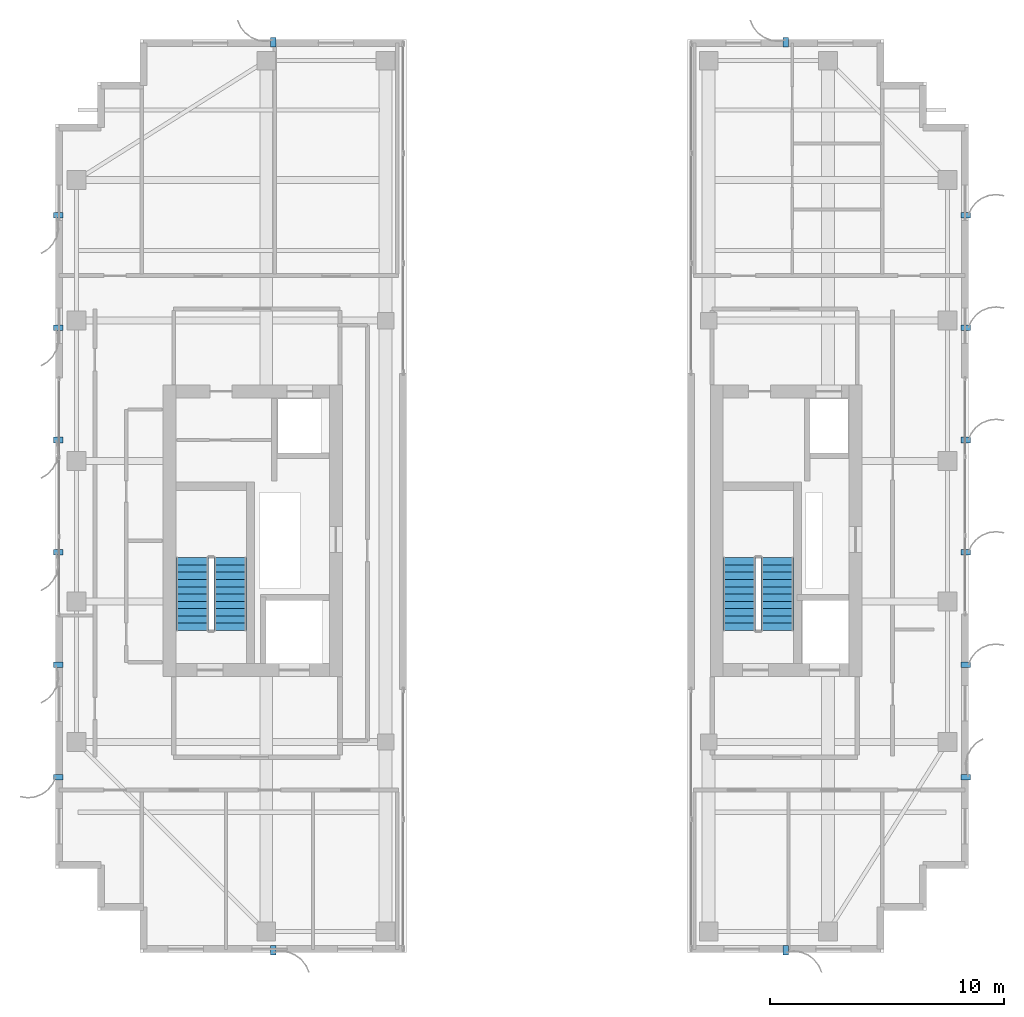
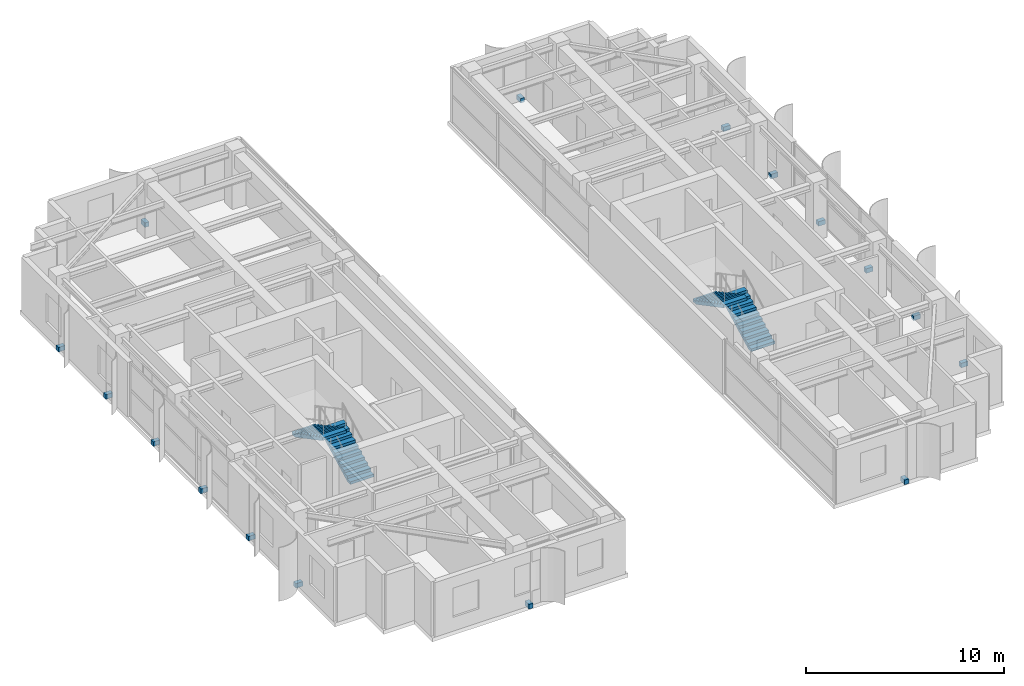
# One storey, part 21 of 24: 16 discrete accessories, 4 stair flights, 2 elements without a shape of their own.
"""IFC4 building model written with IfcOpenShell, lengths in metres."""

from ifc_helpers import new_model, si_unit, direction, frame, origin, origin_2d, place, context, subcontext, project, spatial, polyline, rectangle, outline, extrude, source, transform, mapped, material, type_object, element, aggregate, save


model = new_model("IFC4")

# Units and contexts
model_context = context("Model", 3, precision=1e-05, world=origin(), true_north=direction((0.0, 1.0)))
body_context = subcontext(model_context, "Body", "Model", "MODEL_VIEW")
ifc_project = project(units=[si_unit("LENGTHUNIT", "METRE"), si_unit("AREAUNIT", "SQUARE_METRE"), si_unit("VOLUMEUNIT", "CUBIC_METRE"), si_unit("PLANEANGLEUNIT", "RADIAN"), si_unit("MASSUNIT", "GRAM", prefix="KILO")], contexts=[model_context])

# Site, building, storey
site_placement = place(None, origin())
site = spatial("IfcSite", under=ifc_project, at=site_placement, CompositionType="ELEMENT")
building_placement = place(site_placement, origin())
building = spatial("IfcBuilding", under=site, at=building_placement, Name="Khoralis Quay Care Tower", CompositionType="ELEMENT")
storey_placement = place(building_placement, frame((0.0, 0.0, 249.300048828125)))
storey = spatial("IfcBuildingStorey", under=building, at=storey_placement, Name="L65", CompositionType="ELEMENT", Elevation=249.300048828125)

# Stair, stair flights
ifc_material_1 = material(Name="Precast concrete C45/55", Category="concrete")
stair_type = type_object("IfcStairType", Name="ST-TWR-DOGLEG-1400", PredefinedType="HALF_TURN_STAIR", material=ifc_material_1)
stair_1_placement = place(storey_placement, origin())
stair_1 = element("IfcStair", 1, at=stair_1_placement, inside=storey, type_object=stair_type, Name="L65 West Core Exit Stair ST-T1", PredefinedType="HALF_TURN_STAIR")
stair_flight_type = type_object("IfcStairFlightType", Name="SF-TWR-1400", PredefinedType="STRAIGHT", material=ifc_material_1)
shared_shape_1 = source(origin(), body_context, "Body", "SweptSolid", [
    extrude(outline(polyline([(0.0, 0.0), (0.0, 0.16357421875), (0.31005859375, 0.16357421875), (0.31005859375, 0.327392578125), (0.6201171875, 0.327392578125), (0.6201171875, 0.490966796875), (0.929931640625, 0.490966796875), (0.929931640625, 0.654541015625), (1.239990234375, 0.654541015625), (1.239990234375, 0.818115234375), (1.550048828125, 0.818115234375), (1.550048828125, 0.98193359375), (1.860107421875, 0.98193359375), (1.860107421875, 1.1455078125), (2.169921875, 1.1455078125), (2.169921875, 1.30908203125), (2.47998046875, 1.30908203125), (2.47998046875, 1.47265625), (2.7900390625, 1.47265625), (2.7900390625, 1.636474609375), (3.10009765625, 1.636474609375), (3.10009765625, 1.800048828125), (3.10009765625, 1.466796875), (0.321044921875, 0.0), (0.0, 0.0)])), frame((0.0, 0.68994140625, 0.0), z_axis=(0.0, -1.0, 0.0), x_axis=(1.0, 0.0, 0.0)), (0.0, 0.0, 1.0), 1.3798828125),
])
stair_flight_1_placement = place(storey_placement, frame((10.4599609375, 16.77001953125, 0.0), z_axis=(0.0, 0.0, 1.0), x_axis=(0.0, 1.0, 0.0)))
stair_flight_1 = element("IfcStairFlight", 2, at=stair_flight_1_placement, type_object=stair_flight_type, Name="ST-T1 flight 1", NumberOfRisers=11, NumberOfTreads=10, PredefinedType="STRAIGHT", RiserHeight=0.163636364, TreadLength=0.31, context=body_context, shape_type="MappedRepresentation", body=[
    mapped(shared_shape_1, transform((0.0, 0.0, 0.0), scale=1.0)),
])
stair_flight_2_placement = place(storey_placement, frame((8.840087890625, 19.8701171875, 1.800048828125), z_axis=(0.0, 0.0, 1.0), x_axis=(0.0, -1.0, 0.0)))
stair_flight_2 = element("IfcStairFlight", 3, at=stair_flight_2_placement, type_object=stair_flight_type, Name="ST-T1 flight 2", NumberOfRisers=11, NumberOfTreads=10, PredefinedType="STRAIGHT", RiserHeight=0.163636364, TreadLength=0.31, context=body_context, shape_type="MappedRepresentation", body=[
    mapped(shared_shape_1, transform((0.0, 0.0, 0.0), scale=1.0)),
])
aggregate(stair_1, [stair_flight_1, stair_flight_2])

stair_2_placement = place(storey_placement, origin())
stair_2 = element("IfcStair", 4, at=stair_2_placement, inside=storey, type_object=stair_type, Name="L65 East Core Exit Stair ST-T2", PredefinedType="HALF_TURN_STAIR")
stair_flight_3_placement = place(storey_placement, frame((33.830078125, 16.77001953125, 0.0), z_axis=(0.0, 0.0, 1.0), x_axis=(0.0, 1.0, 0.0)))
stair_flight_3 = element("IfcStairFlight", 5, at=stair_flight_3_placement, type_object=stair_flight_type, Name="ST-T2 flight 1", NumberOfRisers=11, NumberOfTreads=10, PredefinedType="STRAIGHT", RiserHeight=0.163636364, TreadLength=0.31, context=body_context, shape_type="MappedRepresentation", body=[
    mapped(shared_shape_1, transform((0.0, 0.0, 0.0), scale=1.0)),
])
stair_flight_4_placement = place(storey_placement, frame((32.2099609375, 19.8701171875, 1.800048828125), z_axis=(0.0, 0.0, 1.0), x_axis=(0.0, -1.0, 0.0)))
stair_flight_4 = element("IfcStairFlight", 6, at=stair_flight_4_placement, type_object=stair_flight_type, Name="ST-T2 flight 2", NumberOfRisers=11, NumberOfTreads=10, PredefinedType="STRAIGHT", RiserHeight=0.163636364, TreadLength=0.31, context=body_context, shape_type="MappedRepresentation", body=[
    mapped(shared_shape_1, transform((0.0, 0.0, 0.0), scale=1.0)),
])
aggregate(stair_2, [stair_flight_3, stair_flight_4])

# Discrete accessories
ifc_material_2 = material(Name="Brushed stainless steel", Category="steel")
discrete_accessory_type = type_object("IfcDiscreteAccessoryType", Name="ACC-FIN-BRACKET", PredefinedType="BRACKET", material=ifc_material_2)
shared_shape_2 = source(origin(), body_context, "Body", "SweptSolid", [
    extrude(rectangle(XDim=0.39990234375, YDim=0.239990234375, at=origin_2d()), origin(), (0.0, 0.0, 1.0), 0.280029296875),
])
for number, where, z_axis, x_axis, name in (
    (7, (12.300048828125, 3.110107421875, -0.1201171875), (0.0, 0.0, 1.0), (0.0, -1.0, 0.0), "L65 Solar Fin Bracket P1E0-01"),
    (8, (12.300048828125, 41.889892578125, -0.1201171875), (0.0, 0.0, 1.0), (0.0, 1.0, 0.0), "L65 Solar Fin Bracket P1E2-01"),
    (9, (3.110107421875, 34.5, -0.1201171875), (0.0, 0.0, 1.0), (-1.0, 0.0, 0.0), "L65 Solar Fin Bracket P1E7-01"),
    (10, (3.110107421875, 29.699951171875, -0.1201171875), (0.0, 0.0, 1.0), (-1.0, 0.0, 0.0), "L65 Solar Fin Bracket P1E7-02"),
    (11, (3.110107421875, 24.89990234375, -0.1201171875), (0.0, 0.0, 1.0), (-1.0, 0.0, 0.0), "L65 Solar Fin Bracket P1E7-03"),
    (12, (3.110107421875, 20.10009765625, -0.1201171875), (0.0, 0.0, 1.0), (-1.0, 0.0, 0.0), "L65 Solar Fin Bracket P1E7-04"),
    (13, (3.110107421875, 15.300048828125, -0.1201171875), (0.0, 0.0, 1.0), (-1.0, 0.0, 0.0), "L65 Solar Fin Bracket P1E7-05"),
    (14, (3.110107421875, 10.5, -0.1201171875), (0.0, 0.0, 1.0), (-1.0, 0.0, 0.0), "L65 Solar Fin Bracket P1E7-06"),
    (15, (34.199951171875, 3.110107421875, -0.1201171875), (0.0, 0.0, 1.0), (0.0, -1.0, 0.0), "L65 Solar Fin Bracket P2E0-01"),
    (16, (41.889892578125, 10.5, -0.1201171875), (0.0, 0.0, 1.0), (1.0, 0.0, 0.0), "L65 Solar Fin Bracket P2E5-01"),
    (17, (41.889892578125, 15.300048828125, -0.1201171875), (0.0, 0.0, 1.0), (1.0, 0.0, 0.0), "L65 Solar Fin Bracket P2E5-02"),
    (18, (41.889892578125, 20.10009765625, -0.1201171875), (0.0, 0.0, 1.0), (1.0, 0.0, 0.0), "L65 Solar Fin Bracket P2E5-03"),
    (19, (41.889892578125, 24.89990234375, -0.1201171875), (0.0, 0.0, 1.0), (1.0, 0.0, 0.0), "L65 Solar Fin Bracket P2E5-04"),
    (20, (41.889892578125, 29.699951171875, -0.1201171875), (0.0, 0.0, 1.0), (1.0, 0.0, 0.0), "L65 Solar Fin Bracket P2E5-05"),
    (21, (41.889892578125, 34.5, -0.1201171875), (0.0, 0.0, 1.0), (1.0, 0.0, 0.0), "L65 Solar Fin Bracket P2E5-06"),
    (22, (34.199951171875, 41.889892578125, -0.1201171875), (0.0, 0.0, 1.0), (0.0, 1.0, 0.0), "L65 Solar Fin Bracket P2E10-01"),
):
    element("IfcDiscreteAccessory", number, at=place(storey_placement, frame(where, z_axis=z_axis, x_axis=x_axis)), inside=storey, type_object=discrete_accessory_type, Name=name, PredefinedType="BRACKET", context=body_context, shape_type="MappedRepresentation", body=[
        mapped(shared_shape_2, transform((0.0, 0.0, 0.0), scale=1.0)),
    ])

save(model, "model.ifc")
